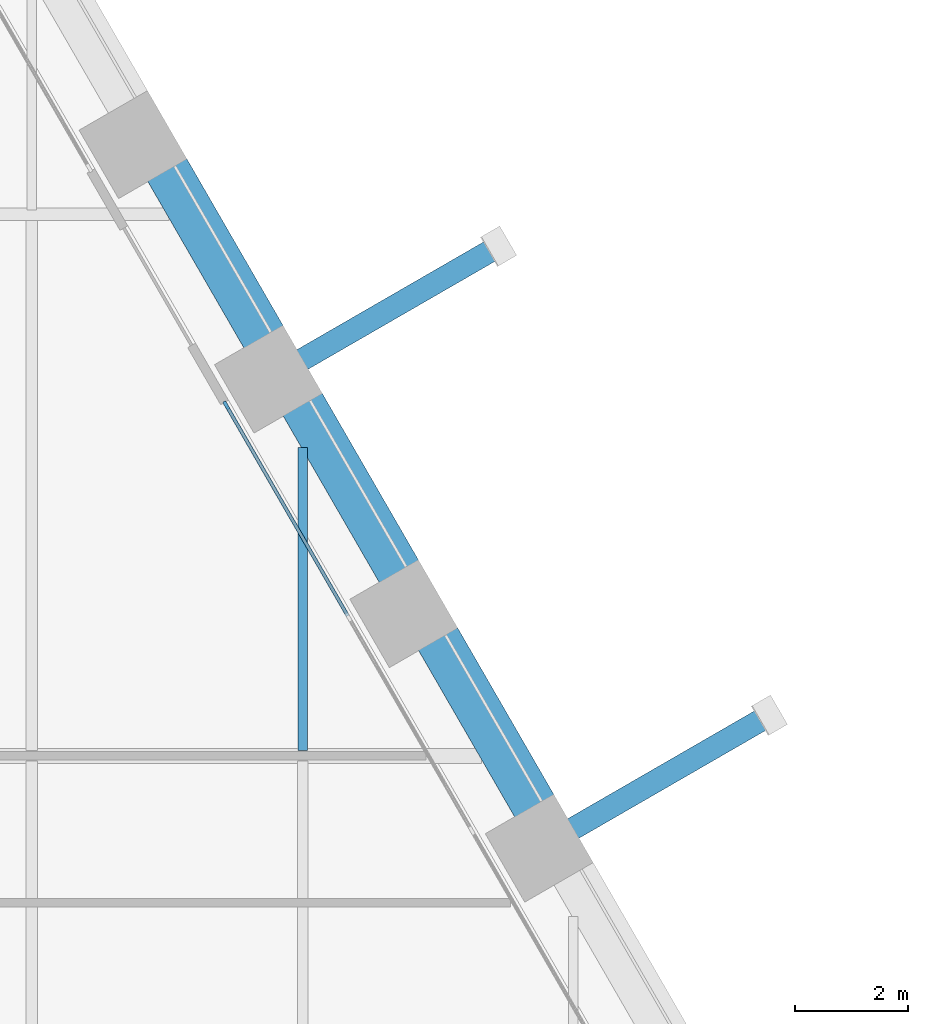
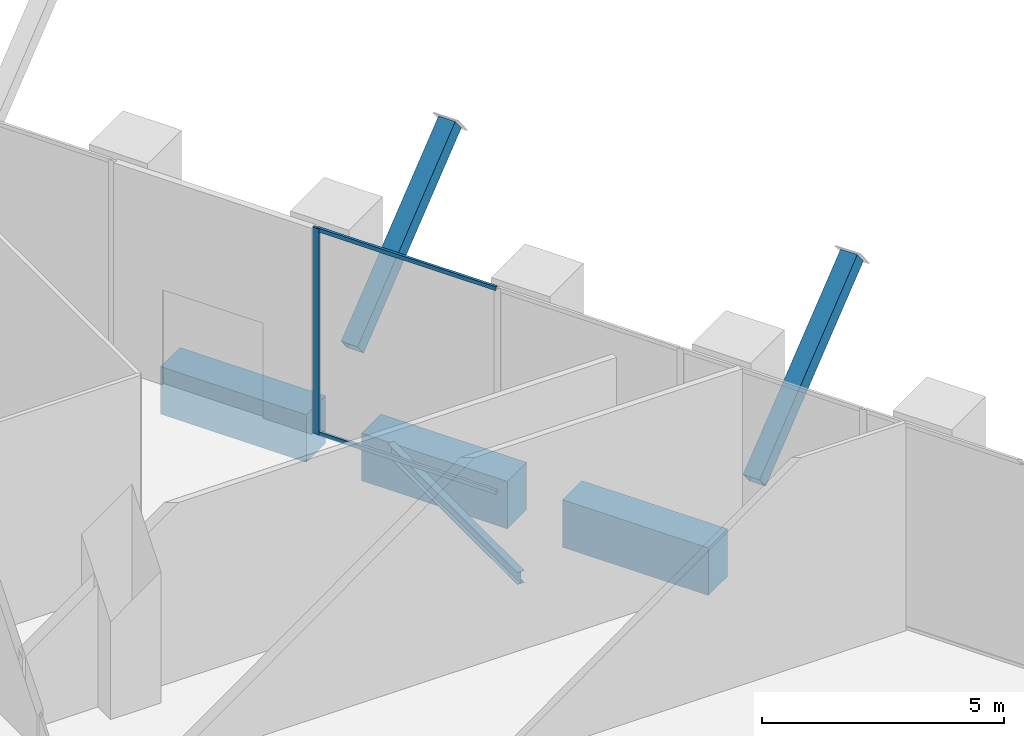
# One storey, part 12 of 29: 5 members, 4 beams, 1 element without a shape of its own.
"""IFC4 building model written with IfcOpenShell, lengths in metres."""

from ifc_helpers import new_model, si_unit, direction, frame, origin, origin_2d, place, context, subcontext, project, spatial, rectangle, hollow_rectangle, i_section, extrude, material, material_profile, profile_set, type_object, element, aggregate, save


model = new_model("IFC4")

# Units and contexts
model_context = context("Model", 3, precision=1e-05, world=origin(), true_north=direction((0.0, 1.0)))
body_context = subcontext(model_context, "Body", "Model", "MODEL_VIEW")
ifc_project = project(units=[si_unit("LENGTHUNIT", "METRE"), si_unit("AREAUNIT", "SQUARE_METRE"), si_unit("VOLUMEUNIT", "CUBIC_METRE"), si_unit("PLANEANGLEUNIT", "RADIAN"), si_unit("MASSUNIT", "GRAM", prefix="KILO")], contexts=[model_context])

# Site, building, storey
site_placement = place(None, origin())
site = spatial("IfcSite", under=ifc_project, at=site_placement, CompositionType="ELEMENT")
building_placement = place(site_placement, origin())
building = spatial("IfcBuilding", under=site, at=building_placement, Name="Kolab Exchange Tower", CompositionType="ELEMENT")
storey_placement = place(building_placement, frame((0.0, 0.0, 33.39990234375)))
storey = spatial("IfcBuildingStorey", under=building, at=storey_placement, Name="L06", CompositionType="ELEMENT", Elevation=33.39990234375)

# Beam
ifc_material_1 = material(Name="Steel S355", Category="steel")
ifc_material_profile_1 = material_profile(ifc_material_1, i_section(OverallWidth=0.1650390625, OverallDepth=0.31005859375, WebThickness=0.005859375, FlangeThickness=0.009765625, at=origin_2d()), Name="W310X39")
ifc_profile_set_1 = profile_set([ifc_material_profile_1], Name="Steel S355")
beam_type_1 = type_object("IfcBeamType", Name="FLOOR BEAM W310X39", PredefinedType="BEAM", material=ifc_profile_set_1)
beam_1_placement = place(storey_placement, frame((28.800048828125, 9.693603515625, -0.40478515625), z_axis=(0.0, 1.0, 0.0), x_axis=(-1.0, 0.0, 0.0)))
element("IfcBeam", 1, at=beam_1_placement, inside=storey, type_object=beam_type_1, Name="beam/L06/fr/061", PredefinedType="BEAM", context=body_context, shape_type="SweptSolid", body=[
    extrude(i_section(OverallWidth=0.1650390625, OverallDepth=0.31005859375, WebThickness=0.005859375, FlangeThickness=0.009765625, at=origin_2d()), origin(), (0.0, 0.0, 1.0), 5.3740234375),
])

# Members
ifc_material_profile_2 = material_profile(ifc_material_1, hollow_rectangle(XDim=0.39990234375, YDim=0.39990234375, WallThickness=0.02001953125, at=origin_2d()), Name="HSS400X400X20")
ifc_profile_set_2 = profile_set([ifc_material_profile_2], Name="Steel S355")
member_type_1 = type_object("IfcMemberType", Name="LEDGE STRUT HSS400X400X20", PredefinedType="STRUT", material=ifc_profile_set_2)
for number, where, z_axis, x_axis, name in (
    (2, (28.765380859375, 16.607666015625, 1.22802734375), (0.675602790468, 0.39005913672, 0.625631472493), (-0.499999695987, 0.866025579307, 0.0), "mem/L06/ledge/strut-6"),
    (3, (33.5654296875, 8.293701171875, 1.22802734375), (0.675602790468, 0.39005913672, 0.625631472493), (-0.499999695987, 0.866025579307, 0.0), "mem/L06/ledge/strut-7"),
):
    element("IfcMember", number, at=place(storey_placement, frame(where, z_axis=z_axis, x_axis=x_axis)), inside=storey, type_object=member_type_1, Name=name, PredefinedType="STRUT", context=body_context, shape_type="SweptSolid", body=[
        extrude(hollow_rectangle(XDim=0.39990234375, YDim=0.39990234375, WallThickness=0.02001953125, at=origin_2d()), origin(), (0.0, 0.0, 1.0), 5.1787109375),
    ])

# Beams
ifc_material_2 = material(Name="Concrete C80/95", Category="concrete")
ifc_material_profile_3 = material_profile(ifc_material_2, rectangle(XDim=0.800048828125, YDim=1.199951171875, at=origin_2d()), Name="RC800X1200")
ifc_profile_set_3 = profile_set([ifc_material_profile_3], Name="Concrete C80/95")
beam_type_2 = type_object("IfcBeamType", Name="SPANDREL BEAM 800X1200 C80/95", PredefinedType="BEAM", material=ifc_profile_set_3)
beam_2_placement = place(storey_placement, frame((26.383544921875, 20.012939453125, -0.849853515625), z_axis=(0.500009906705, -0.86601968407, 0.0), x_axis=(0.86601968407, 0.500009906705, 0.0)))
element("IfcBeam", 4, at=beam_2_placement, inside=storey, type_object=beam_type_2, Name="beam/L06/sp/F2-04", PredefinedType="BEAM", context=body_context, shape_type="SweptSolid", body=[
    extrude(rectangle(XDim=0.800048828125, YDim=1.199951171875, at=origin_2d()), origin(), (0.0, 0.0, 1.0), 3.47998046875),
])
for number, where, z_axis, x_axis, name in (
    (5, (28.78369140625, 15.856201171875, -0.849853515625), (0.499979528911, -0.866037222451, 0.0), (0.866037222451, 0.499979528911, 0.0), "beam/L06/sp/F2-05"),
    (6, (31.18359375, 11.69921875, -0.849853515625), (0.499979528911, -0.866037222451, 0.0), (0.866037222451, 0.499979528911, 0.0), "beam/L06/sp/F2-06"),
):
    element("IfcBeam", number, at=place(storey_placement, frame(where, z_axis=z_axis, x_axis=x_axis)), inside=storey, type_object=beam_type_2, Name=name, PredefinedType="BEAM", context=body_context, shape_type="SweptSolid", body=[
        extrude(rectangle(XDim=0.800048828125, YDim=1.199951171875, at=origin_2d()), origin(), (0.0, 0.0, 1.0), 3.480224609375),
    ])

# Curtain wall, members
ifc_material_3 = material(Name="Aluminium EN AW-6063 T6", Category="aluminium")
curtain_wall_type = type_object("IfcCurtainWallType", Name="UNITISED LOW ZONE CURTAIN WALL", PredefinedType="NOTDEFINED", material=ifc_material_3)
curtain_wall_placement = place(storey_placement, origin())
curtain_wall = element("IfcCurtainWall", 7, at=curtain_wall_placement, inside=storey, type_object=curtain_wall_type, Name="cw/L06/F2-2", PredefinedType="NOTDEFINED")
ifc_material_profile_4 = material_profile(ifc_material_3, rectangle(XDim=0.06005859375, YDim=0.159912109375, at=origin_2d()), Name="RECT 60X160")
ifc_profile_set_4 = profile_set([ifc_material_profile_4], Name="Aluminium EN AW-6063 T6")
member_type_2 = type_object("IfcMemberType", Name="UNITISED LOW ZONE MULLION 60 X 160", PredefinedType="MULLION", material=ifc_profile_set_4)
member_1_placement = place(storey_placement, frame((27.44677734375, 15.811767578125, 0.0), z_axis=(0.0, 0.0, 1.0), x_axis=(0.866025422102, 0.499999968274, 0.0)))
member_1 = element("IfcMember", 8, at=member_1_placement, type_object=member_type_2, Name="CW1 mullion 1", PredefinedType="MULLION", context=body_context, shape_type="SweptSolid", body=[
    extrude(rectangle(XDim=0.06005859375, YDim=0.159912109375, at=origin_2d()), origin(), (0.0, 0.0, 1.0), 5.2001953125),
])
ifc_material_profile_5 = material_profile(ifc_material_3, rectangle(XDim=0.06005859375, YDim=0.10009765625, at=origin_2d()), Name="RECT 60X100")
ifc_profile_set_5 = profile_set([ifc_material_profile_5], Name="Aluminium EN AW-6063 T6")
member_type_3 = type_object("IfcMemberType", Name="UNITISED LOW ZONE TRANSOM 60 X 100", PredefinedType="USERDEFINED", material=ifc_profile_set_5)
member_2_placement = place(storey_placement, frame((27.461669921875, 15.78564453125, 0.030029296875), z_axis=(0.500000816281, -0.866024932504, 0.0), x_axis=(0.866024932504, 0.500000816281, 0.0)))
member_2 = element("IfcMember", 9, at=member_2_placement, type_object=member_type_3, Name="CW1 transom 1.1", ObjectType="TRANSOM", PredefinedType="USERDEFINED", context=body_context, shape_type="SweptSolid", body=[
    extrude(rectangle(XDim=0.06005859375, YDim=0.10009765625, at=origin_2d()), origin(), (0.0, 0.0, 1.0), 4.27685546875),
])
member_3_placement = place(storey_placement, frame((27.461669921875, 15.78564453125, 5.170166015625), z_axis=(0.500000816281, -0.866024932504, 0.0), x_axis=(0.866024932504, 0.500000816281, 0.0)))
member_3 = element("IfcMember", 10, at=member_3_placement, type_object=member_type_3, Name="CW1 transom 1.2", ObjectType="TRANSOM", PredefinedType="USERDEFINED", context=body_context, shape_type="SweptSolid", body=[
    extrude(rectangle(XDim=0.06005859375, YDim=0.10009765625, at=origin_2d()), origin(), (0.0, 0.0, 1.0), 4.27685546875),
])
aggregate(curtain_wall, [member_1, member_2, member_3])

save(model, "model.ifc")
